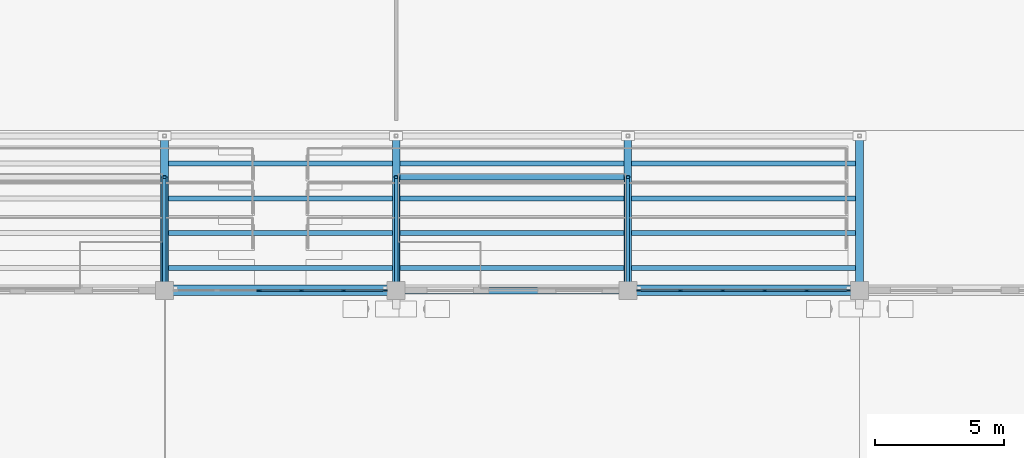
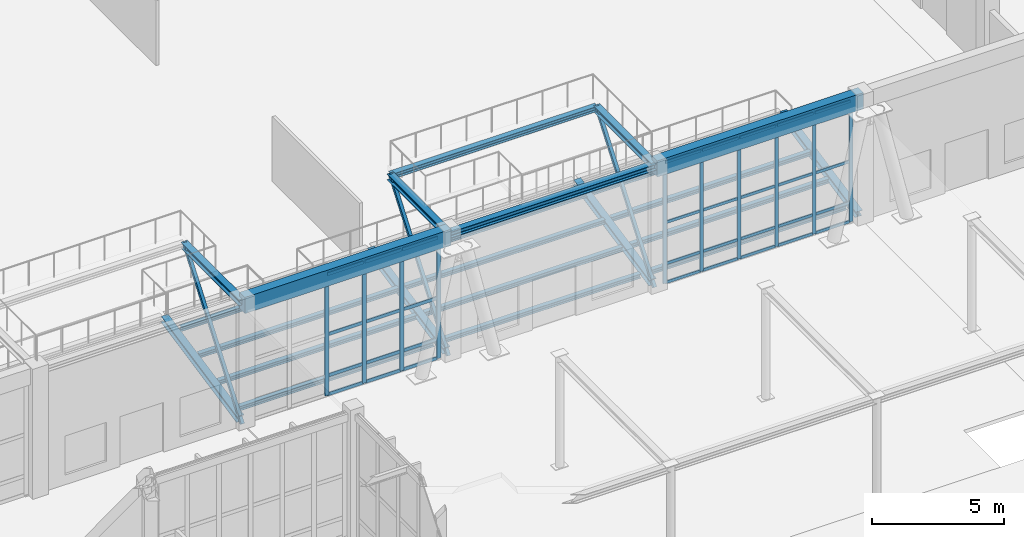
# One storey, part 37 of 110: 45 members, 23 beams, 2 elements without a shape of their own.
"""IFC4 building model written with IfcOpenShell, lengths in metres."""

from ifc_helpers import new_model, si_unit, direction, frame, origin, origin_2d, place, context, subcontext, project, spatial, rectangle, hollow_rectangle, i_section, extrude, material, material_profile, profile_set, type_object, element, aggregate, save


model = new_model("IFC4")

# Units and contexts
model_context = context("Model", 3, precision=1e-05, world=origin(), true_north=direction((0.0, 1.0)))
body_context = subcontext(model_context, "Body", "Model", "MODEL_VIEW")
ifc_project = project(units=[si_unit("LENGTHUNIT", "METRE"), si_unit("AREAUNIT", "SQUARE_METRE"), si_unit("VOLUMEUNIT", "CUBIC_METRE"), si_unit("PLANEANGLEUNIT", "RADIAN"), si_unit("MASSUNIT", "GRAM", prefix="KILO")], contexts=[model_context])

# Site, building, storey
site_placement = place(None, origin())
site = spatial("IfcSite", under=ifc_project, at=site_placement, CompositionType="ELEMENT")
building_placement = place(site_placement, origin())
building = spatial("IfcBuilding", under=site, at=building_placement, Name="Tizgana Railside Sports Hall", CompositionType="ELEMENT")
storey_placement = place(building_placement, origin())
storey = spatial("IfcBuildingStorey", under=building, at=storey_placement, Name="L00", CompositionType="ELEMENT", Elevation=0.0)

# Beams
ifc_material_1 = material(Name="Concrete C35/45", Category="concrete")
ifc_material_profile_1 = material_profile(ifc_material_1, rectangle(XDim=0.39990234375, YDim=0.75, at=origin_2d()), Name="RCB 400x750")
ifc_profile_set_1 = profile_set([ifc_material_profile_1], Name="Concrete C35/45")
beam_type_1 = type_object("IfcBeamType", Name="Concrete Beam RCB 400x750", PredefinedType="BEAM", material=ifc_profile_set_1)
for number, where, z_axis, x_axis, name in (
    (1, (97.800048828125, 40.800048828125, 5.580078125), (1.0, 0.0, 0.0), (0.0, 1.0, 0.0), "L00 V2 Mid-Height Spandrel"),
    (2, (115.800048828125, 40.800048828125, 5.580078125), (1.0, 0.0, 0.0), (0.0, 1.0, 0.0), "L00 V2 Mid-Height Spandrel"),
):
    element("IfcBeam", number, at=place(storey_placement, frame(where, z_axis=z_axis, x_axis=x_axis)), inside=storey, type_object=beam_type_1, Name=name, PredefinedType="BEAM", context=body_context, shape_type="SweptSolid", body=[
        extrude(rectangle(XDim=0.39990234375, YDim=0.75, at=origin_2d()), origin(), (0.0, 0.0, 1.0), 9.0),
    ])

# Curtain wall, members
ifc_material_2 = material(Name="Anodised aluminium and glass", Category="aluminium")
curtain_wall_type_1 = type_object("IfcCurtainWallType", Name="Unitised Curtain Wall Foyer 1300", PredefinedType="NOTDEFINED", material=ifc_material_2)
curtain_wall_1_placement = place(storey_placement, origin())
curtain_wall_1 = element("IfcCurtainWall", 3, at=curtain_wall_1_placement, inside=storey, type_object=curtain_wall_type_1, Name="L00 Curtain Wall CW-0025", PredefinedType="NOTDEFINED")
ifc_material_3 = material(Name="Anodised aluminium", Category="aluminium")
ifc_material_profile_2 = material_profile(ifc_material_3, rectangle(XDim=0.06005859375, YDim=0.159912109375, at=origin_2d()), Name="Mullion 60x160")
ifc_profile_set_2 = profile_set([ifc_material_profile_2], Name="Anodised aluminium")
member_type_1 = type_object("IfcMemberType", Name="Mullion 60x160", PredefinedType="MULLION", material=ifc_profile_set_2)
member_1_placement = place(storey_placement, frame((124.364990234375, 40.800048828125, 0.044921875), z_axis=(0.0, 0.0, 1.0), x_axis=(0.0, -1.0, 0.0)))
member_1 = element("IfcMember", 4, at=member_1_placement, type_object=member_type_1, Name="CW-02 mullion 1", PredefinedType="MULLION", context=body_context, shape_type="SweptSolid", body=[
    extrude(rectangle(XDim=0.06005859375, YDim=0.159912109375, at=origin_2d()), origin(), (0.0, 0.0, 1.0), 5.60498046875),
])
member_2_placement = place(storey_placement, frame((122.757080078125, 40.800048828125, 0.044921875), z_axis=(0.0, 0.0, 1.0), x_axis=(0.0, -1.0, 0.0)))
member_2 = element("IfcMember", 5, at=member_2_placement, type_object=member_type_1, Name="CW-02 mullion 2", PredefinedType="MULLION", context=body_context, shape_type="SweptSolid", body=[
    extrude(rectangle(XDim=0.06005859375, YDim=0.159912109375, at=origin_2d()), origin(), (0.0, 0.0, 1.0), 5.60498046875),
])
member_3_placement = place(storey_placement, frame((121.118896484375, 40.800048828125, 0.044921875), z_axis=(0.0, 0.0, 1.0), x_axis=(0.0, -1.0, 0.0)))
member_3 = element("IfcMember", 6, at=member_3_placement, type_object=member_type_1, Name="CW-02 mullion 3", PredefinedType="MULLION", context=body_context, shape_type="SweptSolid", body=[
    extrude(rectangle(XDim=0.06005859375, YDim=0.159912109375, at=origin_2d()), origin(), (0.0, 0.0, 1.0), 5.60498046875),
])
member_4_placement = place(storey_placement, frame((119.48095703125, 40.800048828125, 0.044921875), z_axis=(0.0, 0.0, 1.0), x_axis=(0.0, -1.0, 0.0)))
member_4 = element("IfcMember", 7, at=member_4_placement, type_object=member_type_1, Name="CW-02 mullion 4", PredefinedType="MULLION", context=body_context, shape_type="SweptSolid", body=[
    extrude(rectangle(XDim=0.06005859375, YDim=0.159912109375, at=origin_2d()), origin(), (0.0, 0.0, 1.0), 5.60498046875),
])
member_5_placement = place(storey_placement, frame((117.843017578125, 40.800048828125, 0.044921875), z_axis=(0.0, 0.0, 1.0), x_axis=(0.0, -1.0, 0.0)))
member_5 = element("IfcMember", 8, at=member_5_placement, type_object=member_type_1, Name="CW-02 mullion 5", PredefinedType="MULLION", context=body_context, shape_type="SweptSolid", body=[
    extrude(rectangle(XDim=0.06005859375, YDim=0.159912109375, at=origin_2d()), origin(), (0.0, 0.0, 1.0), 5.60498046875),
])
member_6_placement = place(storey_placement, frame((116.235107421875, 40.800048828125, 0.044921875), z_axis=(0.0, 0.0, 1.0), x_axis=(0.0, -1.0, 0.0)))
member_6 = element("IfcMember", 9, at=member_6_placement, type_object=member_type_1, Name="CW-02 mullion 6", PredefinedType="MULLION", context=body_context, shape_type="SweptSolid", body=[
    extrude(rectangle(XDim=0.06005859375, YDim=0.159912109375, at=origin_2d()), origin(), (0.0, 0.0, 1.0), 5.60498046875),
])

curtain_wall_type_2 = type_object("IfcCurtainWallType", Name="Unitised Curtain Wall Clinic 1200", PredefinedType="NOTDEFINED", material=ifc_material_2)
curtain_wall_2_placement = place(storey_placement, origin())
curtain_wall_2 = element("IfcCurtainWall", 10, at=curtain_wall_2_placement, inside=storey, type_object=curtain_wall_type_2, Name="L00 Curtain Wall CW-0020", PredefinedType="NOTDEFINED")
ifc_material_profile_3 = material_profile(ifc_material_3, rectangle(XDim=0.06005859375, YDim=0.179931640625, at=origin_2d()), Name="Mullion 60x180")
ifc_profile_set_3 = profile_set([ifc_material_profile_3], Name="Anodised aluminium")
member_type_2 = type_object("IfcMemberType", Name="Mullion 60x180", PredefinedType="MULLION", material=ifc_profile_set_3)
member_7_placement = place(storey_placement, frame((106.364990234375, 40.800048828125, 0.044921875), z_axis=(0.0, 0.0, 1.0), x_axis=(0.0, -1.0, 0.0)))
member_7 = element("IfcMember", 11, at=member_7_placement, type_object=member_type_2, Name="CW-05 mullion 1", PredefinedType="MULLION", context=body_context, shape_type="SweptSolid", body=[
    extrude(rectangle(XDim=0.06005859375, YDim=0.179931640625, at=origin_2d()), origin(), (0.0, 0.0, 1.0), 5.60498046875),
])
member_8_placement = place(storey_placement, frame((104.757080078125, 40.800048828125, 0.044921875), z_axis=(0.0, 0.0, 1.0), x_axis=(0.0, -1.0, 0.0)))
member_8 = element("IfcMember", 12, at=member_8_placement, type_object=member_type_2, Name="CW-05 mullion 2", PredefinedType="MULLION", context=body_context, shape_type="SweptSolid", body=[
    extrude(rectangle(XDim=0.06005859375, YDim=0.179931640625, at=origin_2d()), origin(), (0.0, 0.0, 1.0), 5.60498046875),
])
member_9_placement = place(storey_placement, frame((103.118896484375, 40.800048828125, 0.044921875), z_axis=(0.0, 0.0, 1.0), x_axis=(0.0, -1.0, 0.0)))
member_9 = element("IfcMember", 13, at=member_9_placement, type_object=member_type_2, Name="CW-05 mullion 3", PredefinedType="MULLION", context=body_context, shape_type="SweptSolid", body=[
    extrude(rectangle(XDim=0.06005859375, YDim=0.179931640625, at=origin_2d()), origin(), (0.0, 0.0, 1.0), 5.60498046875),
])
member_10_placement = place(storey_placement, frame((101.48095703125, 40.800048828125, 0.044921875), z_axis=(0.0, 0.0, 1.0), x_axis=(0.0, -1.0, 0.0)))
member_10 = element("IfcMember", 14, at=member_10_placement, type_object=member_type_2, Name="CW-05 mullion 4", PredefinedType="MULLION", context=body_context, shape_type="SweptSolid", body=[
    extrude(rectangle(XDim=0.06005859375, YDim=0.179931640625, at=origin_2d()), origin(), (0.0, 0.0, 1.0), 5.60498046875),
])

# Beams
ifc_material_4 = material(Name="Steel S355J2", Category="steel")
ifc_material_profile_4 = material_profile(ifc_material_4, i_section(OverallWidth=0.199951171875, OverallDepth=0.199951171875, WebThickness=0.009033203125, FlangeThickness=0.014892578125, FilletRadius=0.01806640625, at=origin_2d()), Name="HEB 200")
ifc_profile_set_4 = profile_set([ifc_material_profile_4], Name="Steel S355J2")
beam_type_2 = type_object("IfcBeamType", Name="Steel Beam HEB 200", PredefinedType="BEAM", material=ifc_profile_set_4)
for number, where, z_axis, x_axis, name in (
    (15, (97.945068359375, 41.675048828125, 0.10498046875), (1.0, 0.0, 0.0), (0.0, 1.0, 0.0), "L00 Stand Stringer BEM-0047"),
    (16, (106.945068359375, 41.675048828125, 0.10498046875), (1.0, 0.0, 0.0), (0.0, 1.0, 0.0), "L00 Stand Stringer BEM-0048"),
    (17, (115.945068359375, 41.675048828125, 0.10498046875), (1.0, 0.0, 0.0), (0.0, 1.0, 0.0), "L00 Stand Stringer BEM-0049"),
    (18, (97.945068359375, 43.02490234375, 0.52490234375), (1.0, 0.0, 0.0), (0.0, 1.0, 0.0), "L00 Stand Stringer BEM-0052"),
    (19, (106.945068359375, 43.02490234375, 0.52490234375), (1.0, 0.0, 0.0), (0.0, 1.0, 0.0), "L00 Stand Stringer BEM-0053"),
    (20, (115.945068359375, 43.02490234375, 0.52490234375), (1.0, 0.0, 0.0), (0.0, 1.0, 0.0), "L00 Stand Stringer BEM-0054"),
    (21, (97.945068359375, 44.375, 0.965087890625), (1.0, 0.0, 0.0), (0.0, 1.0, 0.0), "L00 Stand Stringer BEM-0057"),
    (22, (106.945068359375, 44.375, 0.965087890625), (1.0, 0.0, 0.0), (0.0, 1.0, 0.0), "L00 Stand Stringer BEM-0058"),
    (23, (115.945068359375, 44.375, 0.965087890625), (1.0, 0.0, 0.0), (0.0, 1.0, 0.0), "L00 Stand Stringer BEM-0059"),
    (24, (97.945068359375, 45.72509765625, 1.385009765625), (1.0, 0.0, 0.0), (0.0, 1.0, 0.0), "L00 Stand Stringer BEM-0062"),
    (25, (106.945068359375, 45.72509765625, 1.385009765625), (1.0, 0.0, 0.0), (0.0, 1.0, 0.0), "L00 Stand Stringer BEM-0063"),
    (26, (115.945068359375, 45.72509765625, 1.385009765625), (1.0, 0.0, 0.0), (0.0, 1.0, 0.0), "L00 Stand Stringer BEM-0064"),
):
    element("IfcBeam", number, at=place(storey_placement, frame(where, z_axis=z_axis, x_axis=x_axis)), inside=storey, type_object=beam_type_2, Name=name, PredefinedType="BEAM", context=body_context, shape_type="SweptSolid", body=[
        extrude(i_section(OverallWidth=0.199951171875, OverallDepth=0.199951171875, WebThickness=0.009033203125, FlangeThickness=0.014892578125, FilletRadius=0.01806640625, at=origin_2d()), origin(), (0.0, 0.0, 1.0), 8.7099609375),
    ])
ifc_material_profile_5 = material_profile(ifc_material_4, i_section(OverallWidth=0.239990234375, OverallDepth=0.239990234375, WebThickness=0.010009765625, FlangeThickness=0.01708984375, FilletRadius=0.02099609375, at=origin_2d()), Name="HEB 240")
ifc_profile_set_5 = profile_set([ifc_material_profile_5], Name="Steel S355J2")
beam_type_3 = type_object("IfcBeamType", Name="Steel Beam HEB 240", PredefinedType="BEAM", material=ifc_profile_set_5)
beam_1_placement = place(storey_placement, frame((106.800048828125, 45.199951171875, 5.64990234375), z_axis=(1.0, 0.0, 0.0), x_axis=(0.0, 1.0, 0.0)))
element("IfcBeam", 27, at=beam_1_placement, inside=storey, type_object=beam_type_3, Name="L00 BEM-1266", PredefinedType="BEAM", context=body_context, shape_type="SweptSolid", body=[
    extrude(i_section(OverallWidth=0.239990234375, OverallDepth=0.239990234375, WebThickness=0.010009765625, FlangeThickness=0.01708984375, FilletRadius=0.02099609375, at=origin_2d()), origin(), (0.0, 0.0, 1.0), 9.0),
])
ifc_material_profile_6 = material_profile(ifc_material_4, i_section(OverallWidth=0.280029296875, OverallDepth=0.280029296875, WebThickness=0.010498046875, FlangeThickness=0.01806640625, FilletRadius=0.02392578125, at=origin_2d()), Name="HEB 280")
ifc_profile_set_6 = profile_set([ifc_material_profile_6], Name="Steel S355J2")
beam_type_4 = type_object("IfcBeamType", Name="Steel Beam HEB 280", PredefinedType="BEAM", material=ifc_profile_set_6)
beam_2_placement = place(storey_placement, frame((97.800048828125, 40.800048828125, 5.6298828125), z_axis=(0.0, 1.0, 0.0), x_axis=(-1.0, 0.0, 0.0)))
element("IfcBeam", 28, at=beam_2_placement, inside=storey, type_object=beam_type_4, Name="L00 BEM-1264", PredefinedType="BEAM", context=body_context, shape_type="SweptSolid", body=[
    extrude(i_section(OverallWidth=0.280029296875, OverallDepth=0.280029296875, WebThickness=0.010498046875, FlangeThickness=0.01806640625, FilletRadius=0.02392578125, at=origin_2d()), origin(), (0.0, 0.0, 1.0), 4.39990234375),
])
beam_3_placement = place(storey_placement, frame((106.800048828125, 40.800048828125, 5.6298828125), z_axis=(1.0, 0.0, 0.0), x_axis=(0.0, 1.0, 0.0)))
element("IfcBeam", 29, at=beam_3_placement, inside=storey, type_object=beam_type_4, Name="L00 BEM-1265", PredefinedType="BEAM", context=body_context, shape_type="SweptSolid", body=[
    extrude(i_section(OverallWidth=0.280029296875, OverallDepth=0.280029296875, WebThickness=0.010498046875, FlangeThickness=0.01806640625, FilletRadius=0.02392578125, at=origin_2d()), origin(), (0.0, 0.0, 1.0), 9.0),
])
for number, where, z_axis, x_axis, name in (
    (30, (106.800048828125, 40.800048828125, 5.6298828125), (0.0, 1.0, 0.0), (-1.0, 0.0, 0.0), "L00 BEM-1267"),
    (31, (115.800048828125, 40.800048828125, 5.6298828125), (0.0, 1.0, 0.0), (-1.0, 0.0, 0.0), "L00 BEM-1268"),
):
    element("IfcBeam", number, at=place(storey_placement, frame(where, z_axis=z_axis, x_axis=x_axis)), inside=storey, type_object=beam_type_4, Name=name, PredefinedType="BEAM", context=body_context, shape_type="SweptSolid", body=[
        extrude(i_section(OverallWidth=0.280029296875, OverallDepth=0.280029296875, WebThickness=0.010498046875, FlangeThickness=0.01806640625, FilletRadius=0.02392578125, at=origin_2d()), origin(), (0.0, 0.0, 1.0), 4.39990234375),
    ])
ifc_material_profile_7 = material_profile(ifc_material_4, i_section(OverallWidth=0.300048828125, OverallDepth=0.300048828125, WebThickness=0.010986328125, FlangeThickness=0.01904296875, FilletRadius=0.027099609375, at=origin_2d()), Name="HEB 300")
ifc_profile_set_7 = profile_set([ifc_material_profile_7], Name="Steel S355J2")
beam_type_5 = type_object("IfcBeamType", Name="Steel Beam HEB 300", PredefinedType="BEAM", material=ifc_profile_set_7)
for number, where, z_axis, x_axis, name in (
    (32, (97.800048828125, 40.949951171875, 0.14990234375), (0.0, 0.979812896837, 0.199916700632), (-1.0, 0.0, 0.0), "L00 Stand Main Raker BEM-0041"),
    (33, (106.800048828125, 40.949951171875, 0.14990234375), (0.0, 0.979812896837, 0.199916700632), (-1.0, 0.0, 0.0), "L00 Stand Main Raker BEM-0042"),
    (34, (115.800048828125, 40.949951171875, 0.14990234375), (0.0, 0.979812896837, 0.199916700632), (-1.0, 0.0, 0.0), "L00 Stand Main Raker BEM-0043"),
    (35, (124.800048828125, 40.949951171875, 0.14990234375), (0.0, 0.979812896837, 0.199916700632), (-1.0, 0.0, 0.0), "L00 Stand Main Raker BEM-0044"),
):
    element("IfcBeam", number, at=place(storey_placement, frame(where, z_axis=z_axis, x_axis=x_axis)), inside=storey, type_object=beam_type_5, Name=name, PredefinedType="BEAM", context=body_context, shape_type="SweptSolid", body=[
        extrude(i_section(OverallWidth=0.300048828125, OverallDepth=0.300048828125, WebThickness=0.010986328125, FlangeThickness=0.01904296875, FilletRadius=0.027099609375, at=origin_2d()), origin(), (0.0, 0.0, 1.0), 5.853271484375),
    ])

# Members
ifc_material_profile_8 = material_profile(ifc_material_4, hollow_rectangle(XDim=0.139892578125, YDim=0.139892578125, WallThickness=0.008056640625, at=origin_2d()), Name="SHS 140x140x8")
ifc_profile_set_8 = profile_set([ifc_material_profile_8], Name="Steel S355J2")
member_type_3 = type_object("IfcMemberType", Name="Steel Brace SHS 140x140x8", PredefinedType="BRACE", material=ifc_profile_set_8)
for number, where, z_axis, x_axis, name in (
    (36, (97.800048828125, 40.800048828125, 0.0), (0.0, 0.606365528469, 0.795186044825), (-1.0, 0.0, 0.0), "L00 Catwalk Raker"),
    (37, (106.800048828125, 40.800048828125, 0.0), (0.0, 0.606365528469, 0.795186044825), (-1.0, 0.0, 0.0), "L00 Catwalk Raker"),
    (38, (115.800048828125, 40.800048828125, 0.0), (0.0, 0.606365528469, 0.795186044825), (-1.0, 0.0, 0.0), "L00 Catwalk Raker"),
):
    element("IfcMember", number, at=place(storey_placement, frame(where, z_axis=z_axis, x_axis=x_axis)), inside=storey, type_object=member_type_3, Name=name, PredefinedType="BRACE", context=body_context, shape_type="SweptSolid", body=[
        extrude(hollow_rectangle(XDim=0.139892578125, YDim=0.139892578125, WallThickness=0.008056640625, at=origin_2d()), origin(), (0.0, 0.0, 1.0), 7.256103515625),
    ])

# Member
ifc_material_profile_9 = material_profile(ifc_material_3, rectangle(XDim=0.06005859375, YDim=0.1298828125, at=origin_2d()), Name="Transom 60x130")
ifc_profile_set_9 = profile_set([ifc_material_profile_9], Name="Anodised aluminium")
member_type_4 = type_object("IfcMemberType", Name="Transom 60x130", PredefinedType="USERDEFINED", material=ifc_profile_set_9)
member_11_placement = place(storey_placement, frame((124.3349609375, 40.800048828125, 0.074951171875), z_axis=(-1.0, 0.0, 0.0), x_axis=(0.0, -1.0, 0.0)))
member_11 = element("IfcMember", 39, at=member_11_placement, type_object=member_type_4, Name="CW-02 transom 1.1", ObjectType="TRANSOM", PredefinedType="USERDEFINED", context=body_context, shape_type="SweptSolid", body=[
    extrude(rectangle(XDim=0.06005859375, YDim=0.1298828125, at=origin_2d()), origin(), (0.0, 0.0, 1.0), 1.5478515625),
])

member_12_placement = place(storey_placement, frame((124.3349609375, 40.800048828125, 0.945068359375), z_axis=(-1.0, 0.0, 0.0), x_axis=(0.0, -1.0, 0.0)))
member_12 = element("IfcMember", 40, at=member_12_placement, type_object=member_type_4, Name="CW-02 transom 1.2", ObjectType="TRANSOM", PredefinedType="USERDEFINED", context=body_context, shape_type="SweptSolid", body=[
    extrude(rectangle(XDim=0.06005859375, YDim=0.1298828125, at=origin_2d()), origin(), (0.0, 0.0, 1.0), 1.5478515625),
])

member_13_placement = place(storey_placement, frame((124.3349609375, 40.800048828125, 2.847412109375), z_axis=(-1.0, 0.0, 0.0), x_axis=(0.0, -1.0, 0.0)))
member_13 = element("IfcMember", 41, at=member_13_placement, type_object=member_type_4, Name="CW-02 transom 1.3", ObjectType="TRANSOM", PredefinedType="USERDEFINED", context=body_context, shape_type="SweptSolid", body=[
    extrude(rectangle(XDim=0.06005859375, YDim=0.1298828125, at=origin_2d()), origin(), (0.0, 0.0, 1.0), 1.5478515625),
])

member_14_placement = place(storey_placement, frame((124.3349609375, 40.800048828125, 5.6201171875), z_axis=(-1.0, 0.0, 0.0), x_axis=(0.0, -1.0, 0.0)))
member_14 = element("IfcMember", 42, at=member_14_placement, type_object=member_type_4, Name="CW-02 transom 1.4", ObjectType="TRANSOM", PredefinedType="USERDEFINED", context=body_context, shape_type="SweptSolid", body=[
    extrude(rectangle(XDim=0.06005859375, YDim=0.1298828125, at=origin_2d()), origin(), (0.0, 0.0, 1.0), 1.5478515625),
])

member_15_placement = place(storey_placement, frame((122.72705078125, 40.800048828125, 0.074951171875), z_axis=(-1.0, 0.0, 0.0), x_axis=(0.0, -1.0, 0.0)))
member_15 = element("IfcMember", 43, at=member_15_placement, type_object=member_type_4, Name="CW-02 transom 2.1", ObjectType="TRANSOM", PredefinedType="USERDEFINED", context=body_context, shape_type="SweptSolid", body=[
    extrude(rectangle(XDim=0.06005859375, YDim=0.1298828125, at=origin_2d()), origin(), (0.0, 0.0, 1.0), 1.578125),
])

member_16_placement = place(storey_placement, frame((122.72705078125, 40.800048828125, 0.945068359375), z_axis=(-1.0, 0.0, 0.0), x_axis=(0.0, -1.0, 0.0)))
member_16 = element("IfcMember", 44, at=member_16_placement, type_object=member_type_4, Name="CW-02 transom 2.2", ObjectType="TRANSOM", PredefinedType="USERDEFINED", context=body_context, shape_type="SweptSolid", body=[
    extrude(rectangle(XDim=0.06005859375, YDim=0.1298828125, at=origin_2d()), origin(), (0.0, 0.0, 1.0), 1.578125),
])

member_17_placement = place(storey_placement, frame((122.72705078125, 40.800048828125, 2.847412109375), z_axis=(-1.0, 0.0, 0.0), x_axis=(0.0, -1.0, 0.0)))
member_17 = element("IfcMember", 45, at=member_17_placement, type_object=member_type_4, Name="CW-02 transom 2.3", ObjectType="TRANSOM", PredefinedType="USERDEFINED", context=body_context, shape_type="SweptSolid", body=[
    extrude(rectangle(XDim=0.06005859375, YDim=0.1298828125, at=origin_2d()), origin(), (0.0, 0.0, 1.0), 1.578125),
])

member_18_placement = place(storey_placement, frame((122.72705078125, 40.800048828125, 5.6201171875), z_axis=(-1.0, 0.0, 0.0), x_axis=(0.0, -1.0, 0.0)))
member_18 = element("IfcMember", 46, at=member_18_placement, type_object=member_type_4, Name="CW-02 transom 2.4", ObjectType="TRANSOM", PredefinedType="USERDEFINED", context=body_context, shape_type="SweptSolid", body=[
    extrude(rectangle(XDim=0.06005859375, YDim=0.1298828125, at=origin_2d()), origin(), (0.0, 0.0, 1.0), 1.578125),
])

member_19_placement = place(storey_placement, frame((121.089111328125, 40.800048828125, 0.074951171875), z_axis=(-1.0, 0.0, 0.0), x_axis=(0.0, -1.0, 0.0)))
member_19 = element("IfcMember", 47, at=member_19_placement, type_object=member_type_4, Name="CW-02 transom 3.1", ObjectType="TRANSOM", PredefinedType="USERDEFINED", context=body_context, shape_type="SweptSolid", body=[
    extrude(rectangle(XDim=0.06005859375, YDim=0.1298828125, at=origin_2d()), origin(), (0.0, 0.0, 1.0), 1.578125),
])

member_20_placement = place(storey_placement, frame((121.089111328125, 40.800048828125, 0.945068359375), z_axis=(-1.0, 0.0, 0.0), x_axis=(0.0, -1.0, 0.0)))
member_20 = element("IfcMember", 48, at=member_20_placement, type_object=member_type_4, Name="CW-02 transom 3.2", ObjectType="TRANSOM", PredefinedType="USERDEFINED", context=body_context, shape_type="SweptSolid", body=[
    extrude(rectangle(XDim=0.06005859375, YDim=0.1298828125, at=origin_2d()), origin(), (0.0, 0.0, 1.0), 1.578125),
])

member_21_placement = place(storey_placement, frame((121.089111328125, 40.800048828125, 2.847412109375), z_axis=(-1.0, 0.0, 0.0), x_axis=(0.0, -1.0, 0.0)))
member_21 = element("IfcMember", 49, at=member_21_placement, type_object=member_type_4, Name="CW-02 transom 3.3", ObjectType="TRANSOM", PredefinedType="USERDEFINED", context=body_context, shape_type="SweptSolid", body=[
    extrude(rectangle(XDim=0.06005859375, YDim=0.1298828125, at=origin_2d()), origin(), (0.0, 0.0, 1.0), 1.578125),
])

member_22_placement = place(storey_placement, frame((121.089111328125, 40.800048828125, 5.6201171875), z_axis=(-1.0, 0.0, 0.0), x_axis=(0.0, -1.0, 0.0)))
member_22 = element("IfcMember", 50, at=member_22_placement, type_object=member_type_4, Name="CW-02 transom 3.4", ObjectType="TRANSOM", PredefinedType="USERDEFINED", context=body_context, shape_type="SweptSolid", body=[
    extrude(rectangle(XDim=0.06005859375, YDim=0.1298828125, at=origin_2d()), origin(), (0.0, 0.0, 1.0), 1.578125),
])

member_23_placement = place(storey_placement, frame((119.450927734375, 40.800048828125, 0.074951171875), z_axis=(-1.0, 0.0, 0.0), x_axis=(0.0, -1.0, 0.0)))
member_23 = element("IfcMember", 51, at=member_23_placement, type_object=member_type_4, Name="CW-02 transom 4.1", ObjectType="TRANSOM", PredefinedType="USERDEFINED", context=body_context, shape_type="SweptSolid", body=[
    extrude(rectangle(XDim=0.06005859375, YDim=0.1298828125, at=origin_2d()), origin(), (0.0, 0.0, 1.0), 1.577880859375),
])

member_24_placement = place(storey_placement, frame((119.450927734375, 40.800048828125, 0.945068359375), z_axis=(-1.0, 0.0, 0.0), x_axis=(0.0, -1.0, 0.0)))
member_24 = element("IfcMember", 52, at=member_24_placement, type_object=member_type_4, Name="CW-02 transom 4.2", ObjectType="TRANSOM", PredefinedType="USERDEFINED", context=body_context, shape_type="SweptSolid", body=[
    extrude(rectangle(XDim=0.06005859375, YDim=0.1298828125, at=origin_2d()), origin(), (0.0, 0.0, 1.0), 1.577880859375),
])

member_25_placement = place(storey_placement, frame((119.450927734375, 40.800048828125, 2.847412109375), z_axis=(-1.0, 0.0, 0.0), x_axis=(0.0, -1.0, 0.0)))
member_25 = element("IfcMember", 53, at=member_25_placement, type_object=member_type_4, Name="CW-02 transom 4.3", ObjectType="TRANSOM", PredefinedType="USERDEFINED", context=body_context, shape_type="SweptSolid", body=[
    extrude(rectangle(XDim=0.06005859375, YDim=0.1298828125, at=origin_2d()), origin(), (0.0, 0.0, 1.0), 1.577880859375),
])

member_26_placement = place(storey_placement, frame((119.450927734375, 40.800048828125, 5.6201171875), z_axis=(-1.0, 0.0, 0.0), x_axis=(0.0, -1.0, 0.0)))
member_26 = element("IfcMember", 54, at=member_26_placement, type_object=member_type_4, Name="CW-02 transom 4.4", ObjectType="TRANSOM", PredefinedType="USERDEFINED", context=body_context, shape_type="SweptSolid", body=[
    extrude(rectangle(XDim=0.06005859375, YDim=0.1298828125, at=origin_2d()), origin(), (0.0, 0.0, 1.0), 1.577880859375),
])

member_27_placement = place(storey_placement, frame((117.81298828125, 40.800048828125, 0.074951171875), z_axis=(-1.0, 0.0, 0.0), x_axis=(0.0, -1.0, 0.0)))
member_27 = element("IfcMember", 55, at=member_27_placement, type_object=member_type_4, Name="CW-02 transom 5.1", ObjectType="TRANSOM", PredefinedType="USERDEFINED", context=body_context, shape_type="SweptSolid", body=[
    extrude(rectangle(XDim=0.06005859375, YDim=0.1298828125, at=origin_2d()), origin(), (0.0, 0.0, 1.0), 1.548095703125),
])

member_28_placement = place(storey_placement, frame((117.81298828125, 40.800048828125, 0.945068359375), z_axis=(-1.0, 0.0, 0.0), x_axis=(0.0, -1.0, 0.0)))
member_28 = element("IfcMember", 56, at=member_28_placement, type_object=member_type_4, Name="CW-02 transom 5.2", ObjectType="TRANSOM", PredefinedType="USERDEFINED", context=body_context, shape_type="SweptSolid", body=[
    extrude(rectangle(XDim=0.06005859375, YDim=0.1298828125, at=origin_2d()), origin(), (0.0, 0.0, 1.0), 1.548095703125),
])

member_29_placement = place(storey_placement, frame((117.81298828125, 40.800048828125, 2.847412109375), z_axis=(-1.0, 0.0, 0.0), x_axis=(0.0, -1.0, 0.0)))
member_29 = element("IfcMember", 57, at=member_29_placement, type_object=member_type_4, Name="CW-02 transom 5.3", ObjectType="TRANSOM", PredefinedType="USERDEFINED", context=body_context, shape_type="SweptSolid", body=[
    extrude(rectangle(XDim=0.06005859375, YDim=0.1298828125, at=origin_2d()), origin(), (0.0, 0.0, 1.0), 1.548095703125),
])

member_30_placement = place(storey_placement, frame((117.81298828125, 40.800048828125, 5.6201171875), z_axis=(-1.0, 0.0, 0.0), x_axis=(0.0, -1.0, 0.0)))
member_30 = element("IfcMember", 58, at=member_30_placement, type_object=member_type_4, Name="CW-02 transom 5.4", ObjectType="TRANSOM", PredefinedType="USERDEFINED", context=body_context, shape_type="SweptSolid", body=[
    extrude(rectangle(XDim=0.06005859375, YDim=0.1298828125, at=origin_2d()), origin(), (0.0, 0.0, 1.0), 1.548095703125),
])

aggregate(curtain_wall_1, [member_1, member_2, member_3, member_4, member_5, member_6, member_11, member_12, member_13, member_14, member_15, member_16, member_17, member_18, member_19, member_20, member_21, member_22, member_23, member_24, member_25, member_26, member_27, member_28, member_29, member_30])

ifc_material_profile_10 = material_profile(ifc_material_3, rectangle(XDim=0.06005859375, YDim=0.14990234375, at=origin_2d()), Name="Transom 60x150")
ifc_profile_set_10 = profile_set([ifc_material_profile_10], Name="Anodised aluminium")
member_type_5 = type_object("IfcMemberType", Name="Transom 60x150", PredefinedType="USERDEFINED", material=ifc_profile_set_10)
member_31_placement = place(storey_placement, frame((106.3349609375, 40.800048828125, 0.074951171875), z_axis=(-1.0, 0.0, 0.0), x_axis=(0.0, -1.0, 0.0)))
member_31 = element("IfcMember", 59, at=member_31_placement, type_object=member_type_5, Name="CW-05 transom 1.1", ObjectType="TRANSOM", PredefinedType="USERDEFINED", context=body_context, shape_type="SweptSolid", body=[
    extrude(rectangle(XDim=0.06005859375, YDim=0.14990234375, at=origin_2d()), origin(), (0.0, 0.0, 1.0), 1.5478515625),
])

member_32_placement = place(storey_placement, frame((106.3349609375, 40.800048828125, 0.945068359375), z_axis=(-1.0, 0.0, 0.0), x_axis=(0.0, -1.0, 0.0)))
member_32 = element("IfcMember", 60, at=member_32_placement, type_object=member_type_5, Name="CW-05 transom 1.2", ObjectType="TRANSOM", PredefinedType="USERDEFINED", context=body_context, shape_type="SweptSolid", body=[
    extrude(rectangle(XDim=0.06005859375, YDim=0.14990234375, at=origin_2d()), origin(), (0.0, 0.0, 1.0), 1.5478515625),
])

member_33_placement = place(storey_placement, frame((106.3349609375, 40.800048828125, 2.847412109375), z_axis=(-1.0, 0.0, 0.0), x_axis=(0.0, -1.0, 0.0)))
member_33 = element("IfcMember", 61, at=member_33_placement, type_object=member_type_5, Name="CW-05 transom 1.3", ObjectType="TRANSOM", PredefinedType="USERDEFINED", context=body_context, shape_type="SweptSolid", body=[
    extrude(rectangle(XDim=0.06005859375, YDim=0.14990234375, at=origin_2d()), origin(), (0.0, 0.0, 1.0), 1.5478515625),
])

member_34_placement = place(storey_placement, frame((106.3349609375, 40.800048828125, 5.6201171875), z_axis=(-1.0, 0.0, 0.0), x_axis=(0.0, -1.0, 0.0)))
member_34 = element("IfcMember", 62, at=member_34_placement, type_object=member_type_5, Name="CW-05 transom 1.4", ObjectType="TRANSOM", PredefinedType="USERDEFINED", context=body_context, shape_type="SweptSolid", body=[
    extrude(rectangle(XDim=0.06005859375, YDim=0.14990234375, at=origin_2d()), origin(), (0.0, 0.0, 1.0), 1.5478515625),
])

member_35_placement = place(storey_placement, frame((104.72705078125, 40.800048828125, 0.074951171875), z_axis=(-1.0, 0.0, 0.0), x_axis=(0.0, -1.0, 0.0)))
member_35 = element("IfcMember", 63, at=member_35_placement, type_object=member_type_5, Name="CW-05 transom 2.1", ObjectType="TRANSOM", PredefinedType="USERDEFINED", context=body_context, shape_type="SweptSolid", body=[
    extrude(rectangle(XDim=0.06005859375, YDim=0.14990234375, at=origin_2d()), origin(), (0.0, 0.0, 1.0), 1.578125),
])

member_36_placement = place(storey_placement, frame((104.72705078125, 40.800048828125, 0.945068359375), z_axis=(-1.0, 0.0, 0.0), x_axis=(0.0, -1.0, 0.0)))
member_36 = element("IfcMember", 64, at=member_36_placement, type_object=member_type_5, Name="CW-05 transom 2.2", ObjectType="TRANSOM", PredefinedType="USERDEFINED", context=body_context, shape_type="SweptSolid", body=[
    extrude(rectangle(XDim=0.06005859375, YDim=0.14990234375, at=origin_2d()), origin(), (0.0, 0.0, 1.0), 1.578125),
])

member_37_placement = place(storey_placement, frame((104.72705078125, 40.800048828125, 2.847412109375), z_axis=(-1.0, 0.0, 0.0), x_axis=(0.0, -1.0, 0.0)))
member_37 = element("IfcMember", 65, at=member_37_placement, type_object=member_type_5, Name="CW-05 transom 2.3", ObjectType="TRANSOM", PredefinedType="USERDEFINED", context=body_context, shape_type="SweptSolid", body=[
    extrude(rectangle(XDim=0.06005859375, YDim=0.14990234375, at=origin_2d()), origin(), (0.0, 0.0, 1.0), 1.578125),
])

member_38_placement = place(storey_placement, frame((104.72705078125, 40.800048828125, 5.6201171875), z_axis=(-1.0, 0.0, 0.0), x_axis=(0.0, -1.0, 0.0)))
member_38 = element("IfcMember", 66, at=member_38_placement, type_object=member_type_5, Name="CW-05 transom 2.4", ObjectType="TRANSOM", PredefinedType="USERDEFINED", context=body_context, shape_type="SweptSolid", body=[
    extrude(rectangle(XDim=0.06005859375, YDim=0.14990234375, at=origin_2d()), origin(), (0.0, 0.0, 1.0), 1.578125),
])

member_39_placement = place(storey_placement, frame((103.089111328125, 40.800048828125, 0.074951171875), z_axis=(-1.0, 0.0, 0.0), x_axis=(0.0, -1.0, 0.0)))
member_39 = element("IfcMember", 67, at=member_39_placement, type_object=member_type_5, Name="CW-05 transom 3.1", ObjectType="TRANSOM", PredefinedType="USERDEFINED", context=body_context, shape_type="SweptSolid", body=[
    extrude(rectangle(XDim=0.06005859375, YDim=0.14990234375, at=origin_2d()), origin(), (0.0, 0.0, 1.0), 1.578125),
])

member_40_placement = place(storey_placement, frame((103.089111328125, 40.800048828125, 0.945068359375), z_axis=(-1.0, 0.0, 0.0), x_axis=(0.0, -1.0, 0.0)))
member_40 = element("IfcMember", 68, at=member_40_placement, type_object=member_type_5, Name="CW-05 transom 3.2", ObjectType="TRANSOM", PredefinedType="USERDEFINED", context=body_context, shape_type="SweptSolid", body=[
    extrude(rectangle(XDim=0.06005859375, YDim=0.14990234375, at=origin_2d()), origin(), (0.0, 0.0, 1.0), 1.578125),
])

member_41_placement = place(storey_placement, frame((103.089111328125, 40.800048828125, 2.847412109375), z_axis=(-1.0, 0.0, 0.0), x_axis=(0.0, -1.0, 0.0)))
member_41 = element("IfcMember", 69, at=member_41_placement, type_object=member_type_5, Name="CW-05 transom 3.3", ObjectType="TRANSOM", PredefinedType="USERDEFINED", context=body_context, shape_type="SweptSolid", body=[
    extrude(rectangle(XDim=0.06005859375, YDim=0.14990234375, at=origin_2d()), origin(), (0.0, 0.0, 1.0), 1.578125),
])

member_42_placement = place(storey_placement, frame((103.089111328125, 40.800048828125, 5.6201171875), z_axis=(-1.0, 0.0, 0.0), x_axis=(0.0, -1.0, 0.0)))
member_42 = element("IfcMember", 70, at=member_42_placement, type_object=member_type_5, Name="CW-05 transom 3.4", ObjectType="TRANSOM", PredefinedType="USERDEFINED", context=body_context, shape_type="SweptSolid", body=[
    extrude(rectangle(XDim=0.06005859375, YDim=0.14990234375, at=origin_2d()), origin(), (0.0, 0.0, 1.0), 1.578125),
])

aggregate(curtain_wall_2, [member_7, member_8, member_9, member_10, member_31, member_32, member_33, member_34, member_35, member_36, member_37, member_38, member_39, member_40, member_41, member_42])

save(model, "model.ifc")
